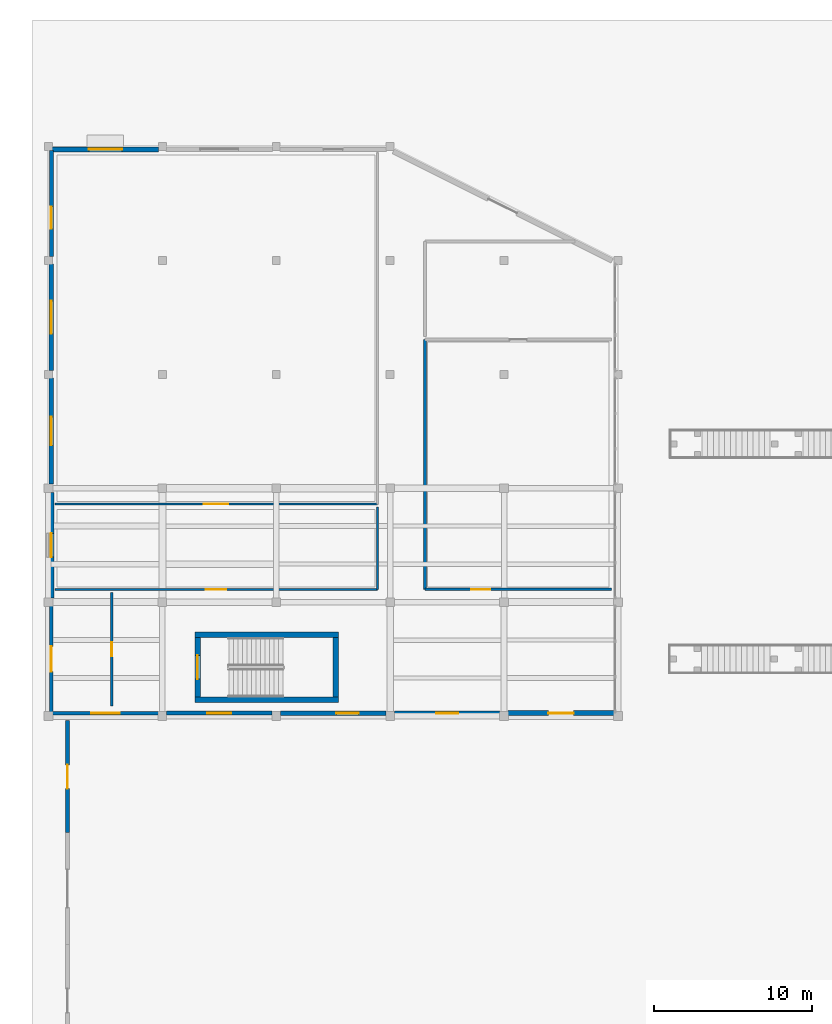
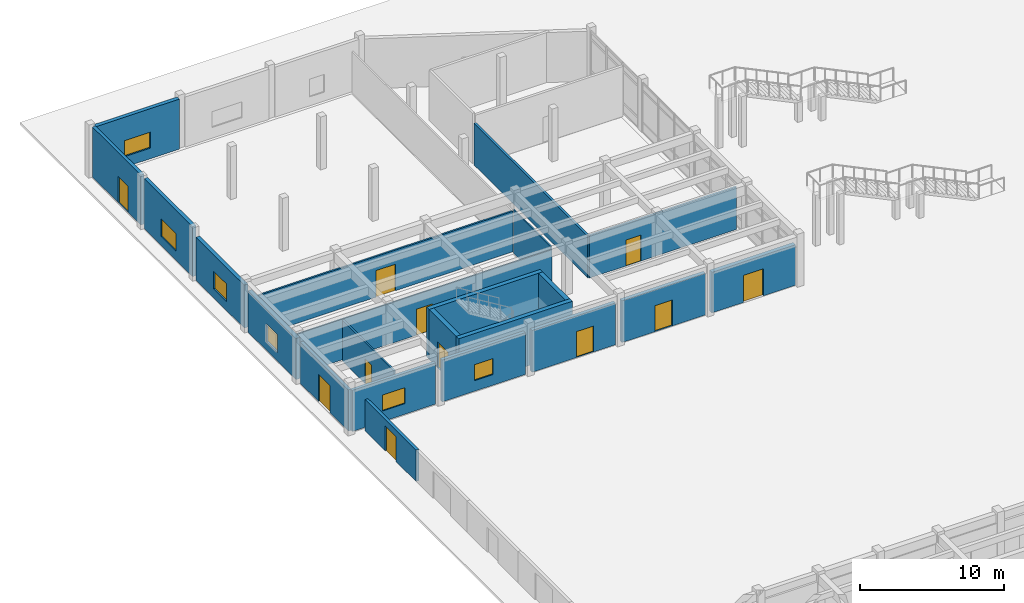
# One storey, part 33 of 58: 22 walls, 11 doors, 6 windows, 17 openings.
"""IFC4 building model written with IfcOpenShell, lengths in metres."""

import ifcopenshell
import ifcopenshell.guid

model = None  # the IFC model being written
_history = None  # IfcOwnerHistory: only IFC2X3 demands one
_inside = {}  # id of a spatial element -> (the spatial element, [elements in it])
_under = {}  # id of a project, library or spatial element -> (it, [spatial elements below it])
_declared = {}  # id of a project -> (the project, [libraries it declares])
_typed = {}  # id of a type object -> (the type object, [elements of that type])
_made_of = {}  # id of a material, layer set ... -> (it, [elements and type objects made of it])


def new_model(schema):
    """Start an empty IFC model of exactly this schema.

    Asked for "IFC4X3", IfcOpenShell would pick the latest addendum, in which some entities
    have other attributes; the version numbers below select the first issue.
    IFC2X3 requires an IfcOwnerHistory on every rooted entity: one is made here for all.
    """
    global model, _history
    if schema == "IFC4X3":
        model = ifcopenshell.file(schema_version=(4, 3, 0, 0))
    else:
        model = ifcopenshell.file(schema=schema)
    _inside.clear()
    _under.clear()
    _declared.clear()
    _typed.clear()
    _made_of.clear()
    _history = None
    if model.schema == "IFC2X3":
        org = make("IfcOrganization", Name="unknown")
        user = make(
            "IfcPersonAndOrganization",
            ThePerson=make("IfcPerson", FamilyName="unknown"),
            TheOrganization=org,
        )
        app = make(
            "IfcApplication",
            ApplicationDeveloper=org,
            Version="unknown",
            ApplicationFullName="unknown",
            ApplicationIdentifier="unknown",
        )
        _history = make(
            "IfcOwnerHistory",
            OwningUser=user,
            OwningApplication=app,
            ChangeAction="ADDED",
            CreationDate=0,
        )
    return model


def make(cls, **values):
    """One entity of the class cls with the attributes given. An attribute that is None is left unset."""
    return model.create_entity(
        cls, **{name: value for name, value in values.items() if value is not None}
    )


def rooted(cls, **values):
    """An entity with a GlobalId (a new one), such as an element, a storey or a relation."""
    return make(cls, GlobalId=ifcopenshell.guid.new(), OwnerHistory=_history, **values)


def si_unit(unit_type, name, prefix=None):
    """IfcSIUnit, for example si_unit("LENGTHUNIT", "METRE", prefix="MILLI")."""
    return make("IfcSIUnit", UnitType=unit_type, Prefix=prefix, Name=name)


def assignment(units):
    """IfcUnitAssignment: the units of a project."""
    return None if units is None else make("IfcUnitAssignment", Units=units)


def point(xyz):
    """IfcCartesianPoint."""
    return None if xyz is None else make("IfcCartesianPoint", Coordinates=xyz)


def direction(xyz):
    """IfcDirection."""
    return None if xyz is None else make("IfcDirection", DirectionRatios=xyz)


def frame(location, z_axis=None, x_axis=None):
    """IfcAxis2Placement3D, a coordinate frame: its origin and axes. An axis left out is left unset."""
    return make(
        "IfcAxis2Placement3D",
        Location=point(location),
        Axis=direction(z_axis),
        RefDirection=direction(x_axis),
    )


def frame_2d(location, x_axis=None):
    """IfcAxis2Placement2D, a coordinate frame in the plane: its origin and x axis."""
    return make(
        "IfcAxis2Placement2D", Location=point(location), RefDirection=direction(x_axis)
    )


def origin():
    """The frame at (0, 0, 0) with its axes left unset."""
    return frame((0.0, 0.0, 0.0))


def place(relative_to, where):
    """IfcLocalPlacement: puts the frame where relative to a parent placement (None: the world)."""
    return make(
        "IfcLocalPlacement", PlacementRelTo=relative_to, RelativePlacement=where
    )


def context(
    kind, dimensions, precision=None, world=None, true_north=None, identifier=None
):
    """IfcGeometricRepresentationContext, for example the 3D "Model" context."""
    return make(
        "IfcGeometricRepresentationContext",
        ContextIdentifier=identifier,
        ContextType=kind,
        CoordinateSpaceDimension=dimensions,
        Precision=precision,
        WorldCoordinateSystem=world,
        TrueNorth=true_north,
    )


def subcontext(parent, identifier, kind, view, scale=None):
    """IfcGeometricRepresentationSubContext, for example "Body" below "Model"."""
    return make(
        "IfcGeometricRepresentationSubContext",
        ContextIdentifier=identifier,
        ContextType=kind,
        ParentContext=parent,
        TargetScale=scale,
        TargetView=view,
    )


def project(units=None, contexts=None):
    """IfcProject with its units and contexts."""
    return rooted(
        "IfcProject",
        Name="project",
        RepresentationContexts=contexts,
        UnitsInContext=assignment(units),
    )


def spatial(cls, under=None, at=None, **own):
    """A site, building, storey or space (cls), placed at a placement, below another one or the project."""
    s = rooted(cls, ObjectPlacement=at, **own)
    if under is not None:
        _under.setdefault(under.id(), (under, []))[1].append(s)
    return s


def profile(cls, at=None, kind="AREA", **sizes):
    """A parametric profile (cls). Its sizes go by their IFC names, for example OverallWidth=200.0."""
    return make(cls, ProfileType=kind, Position=at, **sizes)


def rectangle(**sizes):
    """IfcRectangleProfileDef."""
    return profile("IfcRectangleProfileDef", **sizes)


def extrude(swept, where, along, depth):
    """IfcExtrudedAreaSolid: the profile swept, set in the frame where, extruded along a direction by depth."""
    return make(
        "IfcExtrudedAreaSolid",
        SweptArea=swept,
        Position=where,
        ExtrudedDirection=direction(along),
        Depth=depth,
    )


def shape(context_of_items, identifier, shape_type, items):
    """IfcShapeRepresentation: the items that make up one representation, for example the "Body"."""
    return make(
        "IfcShapeRepresentation",
        ContextOfItems=context_of_items,
        RepresentationIdentifier=identifier,
        RepresentationType=shape_type,
        Items=items,
    )


def material(Name=None, Category=None):
    """IfcMaterial."""
    return make("IfcMaterial", Name=Name, Category=Category)


def layer(
    of_material, thickness, ventilated=None, Name=None, Category=None, Priority=None
):
    """IfcMaterialLayer: one layer of a wall or slab, of a material (None: an air gap)."""
    return make(
        "IfcMaterialLayer",
        Material=of_material,
        LayerThickness=thickness,
        IsVentilated=ventilated,
        Name=Name,
        Category=Category,
        Priority=Priority,
    )


def layer_set(layers, Name=None):
    """IfcMaterialLayerSet."""
    return make("IfcMaterialLayerSet", MaterialLayers=layers, LayerSetName=Name)


def made_of(thing, what):
    """Note that an element or type object is made of a material, layer set ...; save() writes the relation."""
    if what is not None:
        _made_of.setdefault(what.id(), (what, []))[1].append(thing)
    return thing


def type_object(cls, material=None, **own):
    """A type object (cls), such as IfcWallType, which elements share."""
    return made_of(rooted(cls, **own), material)


def element(
    cls,
    number,
    at=None,
    inside=None,
    cuts=None,
    type_object=None,
    material=None,
    context=None,
    identifier="Body",
    shape_type=None,
    held_by="IfcProductDefinitionShape",
    body=None,
    shapes=None,
    **own,
):
    """One element of the class cls, such as IfcWall. Its Tag is "e" and its number.

    at: its placement. inside: the storey or other place that contains it. cuts: it is an
    opening in that element (IfcRelVoidsElement). A single representation is given by context,
    identifier, shape_type and body (its items); several are given by shapes. held_by: the class
    of the entity that holds the representations. save() writes the other relations.
    """
    e = rooted(cls, Tag="e%d" % number, ObjectPlacement=at, **own)
    if body is not None:
        shapes = [shape(context, identifier, shape_type, body)]
    if shapes is not None:
        e.Representation = make(held_by, Representations=shapes)
    if inside is not None:
        _inside.setdefault(inside.id(), (inside, []))[1].append(e)
    if cuts is not None:
        rooted(
            "IfcRelVoidsElement", RelatingBuildingElement=cuts, RelatedOpeningElement=e
        )
    if type_object is not None:
        _typed.setdefault(type_object.id(), (type_object, []))[1].append(e)
    return made_of(e, material)


def fill(opening, filler):
    """IfcRelFillsElement: the door or window that sits in an opening."""
    return rooted(
        "IfcRelFillsElement",
        RelatingOpeningElement=opening,
        RelatedBuildingElement=filler,
    )


def aggregate(whole, parts):
    """IfcRelAggregates: a whole, such as a stair, and the parts it consists of."""
    return rooted("IfcRelAggregates", RelatingObject=whole, RelatedObjects=parts)


def save(model, path):
    """Write the relations noted so far, then the file.

    IfcRelAggregates (storeys below a building ...), IfcRelContainedInSpatialStructure (elements
    in a storey), IfcRelDefinesByType, IfcRelAssociatesMaterial and IfcRelDeclares: one each for
    every whole, place, type object, material and project.
    """
    for whole, parts in _under.values():
        aggregate(whole, parts)
    for where, things in _inside.values():
        rooted(
            "IfcRelContainedInSpatialStructure",
            RelatedElements=things,
            RelatingStructure=where,
        )
    for kind, things in _typed.values():
        rooted("IfcRelDefinesByType", RelatedObjects=things, RelatingType=kind)
    for what, things in _made_of.values():
        rooted("IfcRelAssociatesMaterial", RelatedObjects=things, RelatingMaterial=what)
    for by, libraries in _declared.values():
        rooted("IfcRelDeclares", RelatingContext=by, RelatedDefinitions=libraries)
    model.write(path)


model = new_model("IFC4")

# Units and contexts
model_context = context("Model", 3, precision=1e-05, world=origin(), true_north=direction((0.0, 1.0)))
body_context = subcontext(model_context, "Body", "Model", "MODEL_VIEW")
ifc_project = project(units=[si_unit("LENGTHUNIT", "METRE"), si_unit("AREAUNIT", "SQUARE_METRE"), si_unit("VOLUMEUNIT", "CUBIC_METRE"), si_unit("PLANEANGLEUNIT", "RADIAN"), si_unit("MASSUNIT", "GRAM", prefix="KILO")], contexts=[model_context])

# Site, building, storey
site_placement = place(None, origin())
site = spatial("IfcSite", under=ifc_project, at=site_placement, CompositionType="ELEMENT")
building_placement = place(site_placement, origin())
building = spatial("IfcBuilding", under=site, at=building_placement, Name="Brisavento Harbour Community Centre", CompositionType="ELEMENT")
storey_placement = place(building_placement, origin())
storey = spatial("IfcBuildingStorey", under=building, at=storey_placement, Name="L00", CompositionType="ELEMENT", Elevation=0.0)

# Walls
ifc_material_1 = material(Name="Concrete C40/50", Category="concrete")
ifc_layer_1 = layer(ifc_material_1, 0.35009765625, Name="Concrete C40/50")
ifc_layer_set_1 = layer_set([ifc_layer_1], Name="Concrete C40/50")
wall_type_1 = type_object("IfcWallType", Name="WL-CORE-350", PredefinedType="SHEAR", material=ifc_layer_set_1)
for number, where, z_axis, x_axis, name in (
    (1, (9.25, 73.02490234375, 0.0), (0.0, 0.0, 1.0), (1.0, 0.0, 0.0), "L00 core C5 shear wall L"),
    (2, (18.35009765625, 77.125, 0.0), (0.0, 0.0, 1.0), (-1.0, 0.0, 0.0), "L00 core C5 shear wall R"),
):
    element("IfcWall", number, at=place(storey_placement, frame(where, z_axis=z_axis, x_axis=x_axis)), inside=storey, type_object=wall_type_1, Name=name, PredefinedType="SHEAR", context=body_context, shape_type="SweptSolid", body=[
        extrude(rectangle(XDim=9.10009765625, YDim=0.35009765625, at=frame_2d((4.550048828125, 0.0))), origin(), (0.0, 0.0, 1.0), 4.239990234375),
    ])
wall_1_placement = place(storey_placement, frame((18.175048828125, 73.199951171875, 0.0), z_axis=(0.0, 0.0, 1.0), x_axis=(0.0, 1.0, 0.0)))
element("IfcWall", 3, at=wall_1_placement, inside=storey, type_object=wall_type_1, Name="L00 core C5 shear wall F", PredefinedType="SHEAR", context=body_context, shape_type="SweptSolid", body=[
    extrude(rectangle(XDim=3.75, YDim=0.35009765625, at=frame_2d((1.875, 0.0))), origin(), (0.0, 0.0, 1.0), 4.239990234375),
])

# Wall, opening, door
wall_2_placement = place(storey_placement, frame((9.425048828125, 73.199951171875, 0.0), z_axis=(0.0, 0.0, 1.0), x_axis=(0.0, 1.0, 0.0)))
wall_2 = element("IfcWall", 4, at=wall_2_placement, inside=storey, type_object=wall_type_1, Name="L00 core C5 shear wall N", PredefinedType="SHEAR", context=body_context, shape_type="SweptSolid", body=[
    extrude(rectangle(XDim=3.75, YDim=0.35009765625, at=frame_2d((1.875, 0.0))), origin(), (0.0, 0.0, 1.0), 4.239990234375),
])
opening_1_placement = place(wall_2_placement, frame((1.125, 0.0, 0.0)))
opening_1 = element("IfcOpeningElement", 5, at=opening_1_placement, cuts=wall_2, Name="Opening SD-01", PredefinedType="OPENING", context=body_context, shape_type="SweptSolid", body=[
    extrude(rectangle(XDim=1.5, YDim=2.199951171875, at=frame_2d((0.75, 1.10009765625))), frame((0.0, 0.18505859375, 0.0), z_axis=(0.0, -1.0, 0.0), x_axis=(1.0, 0.0, 0.0)), (0.0, 0.0, 1.0), 0.3701171875),
])
ifc_material_2 = material(Name="Fire-rated steel door assembly", Category="steel")
door_type_1 = type_object("IfcDoorType", Name="DR-STAIR-150x220", OperationType="NOTDEFINED", PredefinedType="DOOR", material=ifc_material_2)
door_1_placement = place(opening_1_placement, origin())
door_1 = element("IfcDoor", 6, at=door_1_placement, inside=storey, type_object=door_type_1, Name="L00 exit stair ST-07 fire door", OperationType="SINGLE_SWING_RIGHT", OverallHeight=2.199951171875, OverallWidth=1.5, PredefinedType="DOOR", context=body_context, shape_type="SweptSolid", body=[
    extrude(rectangle(XDim=1.5, YDim=2.199951171875, at=frame_2d((0.75, 1.10009765625))), frame((0.0, 0.02490234375, 0.0), z_axis=(0.0, -1.0, 0.0), x_axis=(1.0, 0.0, 0.0)), (0.0, 0.0, 1.0), 0.050048828125),
])
fill(opening_1, door_1)

# Wall, opening, window
ifc_material_3 = material(Name="Terracotta masonry unit", Category="masonry")
ifc_layer_2 = layer(ifc_material_3, 0.239990234375, Name="Terracotta masonry unit")
ifc_layer_set_2 = layer_set([ifc_layer_2], Name="Terracotta masonry unit")
wall_type_2 = type_object("IfcWallType", Name="WL-EXT-240", PredefinedType="SOLIDWALL", material=ifc_layer_set_2)
wall_3_placement = place(storey_placement, frame((6.93994140625, 72.179931640625, 0.0), z_axis=(0.0, 0.0, 1.0), x_axis=(-1.0, 0.0, 0.0)))
wall_3 = element("IfcWall", 7, at=wall_3_placement, inside=storey, type_object=wall_type_2, Name="L00 V5 exterior wall 0163", PredefinedType="SOLIDWALL", context=body_context, shape_type="SweptSolid", body=[
    extrude(rectangle(XDim=6.679931640625, YDim=0.239990234375, at=frame_2d((3.33984375, 0.0))), origin(), (0.0, 0.0, 1.0), 3.489990234375),
])
opening_2_placement = place(wall_3_placement, frame((2.43994140625, 0.0, 0.89990234375)))
opening_2 = element("IfcOpeningElement", 8, at=opening_2_placement, cuts=wall_3, Name="Opening W-11", PredefinedType="OPENING", context=body_context, shape_type="SweptSolid", body=[
    extrude(rectangle(XDim=1.800048828125, YDim=1.35009765625, at=frame_2d((0.89990234375, 0.675048828125))), frame((0.0, 0.1298828125, 0.0), z_axis=(0.0, -1.0, 0.0), x_axis=(1.0, 0.0, 0.0)), (0.0, 0.0, 1.0), 0.260009765625),
])
ifc_material_4 = material(Name="Solar-control laminated low-E glass", Category="glass")
window_type_1 = type_object("IfcWindowType", Name="WIN-CAS-11", PartitioningType="SINGLE_PANEL", PredefinedType="WINDOW", material=ifc_material_4)
window_1_placement = place(opening_2_placement, origin())
window_1 = element("IfcWindow", 9, at=window_1_placement, inside=storey, type_object=window_type_1, Name="L00 V5 impact casement window 0047", OverallHeight=1.35009765625, OverallWidth=1.800048828125, PartitioningType="SINGLE_PANEL", PredefinedType="WINDOW", context=body_context, shape_type="SweptSolid", body=[
    extrude(rectangle(XDim=1.800048828125, YDim=1.35009765625, at=frame_2d((0.89990234375, 0.675048828125))), frame((0.0, 0.030029296875, 0.0), z_axis=(0.0, -1.0, 0.0), x_axis=(1.0, 0.0, 0.0)), (0.0, 0.0, 1.0), 0.06005859375),
])
fill(opening_2, window_1)

# Wall, opening, door
wall_4_placement = place(storey_placement, frame((0.179931640625, 72.260009765625, 0.0), z_axis=(0.0, 0.0, 1.0), x_axis=(0.0, 1.0, 0.0)))
wall_4 = element("IfcWall", 10, at=wall_4_placement, inside=storey, type_object=wall_type_2, Name="L00 V5 exterior wall 0168", PredefinedType="SOLIDWALL", context=body_context, shape_type="SweptSolid", body=[
    extrude(rectangle(XDim=6.679931640625, YDim=0.239990234375, at=frame_2d((3.33984375, 0.0))), origin(), (0.0, 0.0, 1.0), 3.489990234375),
])
opening_3_placement = place(wall_4_placement, frame((2.5400390625, 0.0, 0.0)))
opening_3 = element("IfcOpeningElement", 11, at=opening_3_placement, cuts=wall_4, Name="Opening ED-04", PredefinedType="OPENING", context=body_context, shape_type="SweptSolid", body=[
    extrude(rectangle(XDim=1.60009765625, YDim=2.300048828125, at=frame_2d((0.800048828125, 1.14990234375))), frame((0.0, 0.1298828125, 0.0), z_axis=(0.0, -1.0, 0.0), x_axis=(1.0, 0.0, 0.0)), (0.0, 0.0, 1.0), 0.260009765625),
])
ifc_material_5 = material(Name="Marine-anodised aluminium AW-6063-T6", Category="aluminium")
door_type_2 = type_object("IfcDoorType", Name="DR-EXT-160x230", OperationType="NOTDEFINED", PredefinedType="DOOR", material=ifc_material_5)
door_2_placement = place(opening_3_placement, origin())
door_2 = element("IfcDoor", 12, at=door_2_placement, inside=storey, type_object=door_type_2, Name="L00 V5 exterior exit door 026", OperationType="SINGLE_SWING_LEFT", OverallHeight=2.300048828125, OverallWidth=1.60009765625, PredefinedType="DOOR", context=body_context, shape_type="SweptSolid", body=[
    extrude(rectangle(XDim=1.60009765625, YDim=2.300048828125, at=frame_2d((0.800048828125, 1.14990234375))), frame((0.0, 0.02490234375, 0.0), z_axis=(0.0, -1.0, 0.0), x_axis=(1.0, 0.0, 0.0)), (0.0, 0.0, 1.0), 0.050048828125),
])
fill(opening_3, door_2)

wall_5_placement = place(storey_placement, frame((1.199951171875, 71.699951171875, 0.0), z_axis=(0.0, 0.0, 1.0), x_axis=(0.0, -1.0, 0.0)))
wall_5 = element("IfcWall", 13, at=wall_5_placement, inside=storey, type_object=wall_type_2, Name="L00 courtyard screen wall 05", PredefinedType="SOLIDWALL", context=body_context, shape_type="SweptSolid", body=[
    extrude(rectangle(XDim=7.079833984375, YDim=0.239990234375, at=frame_2d((3.5400390625, 0.0))), origin(), (0.0, 0.0, 1.0), 2.64990234375),
])
opening_4_placement = place(wall_5_placement, frame((2.7900390625, 0.0, 0.0)))
opening_4 = element("IfcOpeningElement", 14, at=opening_4_placement, cuts=wall_5, Name="Opening NG-01", PredefinedType="OPENING", context=body_context, shape_type="SweptSolid", body=[
    extrude(rectangle(XDim=1.5, YDim=2.10009765625, at=frame_2d((0.75, 1.050048828125))), frame((0.0, 0.1298828125, 0.0), z_axis=(0.0, -1.0, 0.0), x_axis=(1.0, 0.0, 0.0)), (0.0, 0.0, 1.0), 0.260009765625),
])
door_type_3 = type_object("IfcDoorType", Name="GT-NRS-150x210", OperationType="NOTDEFINED", PredefinedType="GATE", material=ifc_material_5)
door_3_placement = place(opening_4_placement, origin())
door_3 = element("IfcDoor", 15, at=door_3_placement, inside=storey, type_object=door_type_3, Name="L00 courtyard entrance gate 05", OperationType="SINGLE_SWING_RIGHT", OverallHeight=2.10009765625, OverallWidth=1.5, PredefinedType="GATE", context=body_context, shape_type="SweptSolid", body=[
    extrude(rectangle(XDim=1.5, YDim=2.10009765625, at=frame_2d((0.75, 1.050048828125))), frame((0.0, 0.02490234375, 0.0), z_axis=(0.0, -1.0, 0.0), x_axis=(1.0, 0.0, 0.0)), (0.0, 0.0, 1.0), 0.050048828125),
])
fill(opening_4, door_3)

# Wall, opening, window
ifc_layer_3 = layer(ifc_material_3, 0.260009765625, Name="Terracotta masonry unit")
ifc_layer_set_3 = layer_set([ifc_layer_3], Name="Terracotta masonry unit")
wall_type_3 = type_object("IfcWallType", Name="WL-EXT-260", PredefinedType="SOLIDWALL", material=ifc_layer_set_3)
wall_6_placement = place(storey_placement, frame((14.139892578125, 72.179931640625, 0.0), z_axis=(0.0, 0.0, 1.0), x_axis=(-1.0, 0.0, 0.0)))
wall_6 = element("IfcWall", 16, at=wall_6_placement, inside=storey, type_object=wall_type_3, Name="L00 V5 exterior wall 0162", PredefinedType="SOLIDWALL", context=body_context, shape_type="SweptSolid", body=[
    extrude(rectangle(XDim=6.679931640625, YDim=0.260009765625, at=frame_2d((3.33984375, 0.0))), origin(), (0.0, 0.0, 1.0), 3.5400390625),
])
opening_5_placement = place(wall_6_placement, frame((2.590087890625, 0.0, 0.89990234375)))
opening_5 = element("IfcOpeningElement", 17, at=opening_5_placement, cuts=wall_6, Name="Opening W-10", PredefinedType="OPENING", context=body_context, shape_type="SweptSolid", body=[
    extrude(rectangle(XDim=1.5, YDim=1.35009765625, at=frame_2d((0.75, 0.675048828125))), frame((0.0, 0.14013671875, 0.0), z_axis=(0.0, -1.0, 0.0), x_axis=(1.0, 0.0, 0.0)), (0.0, 0.0, 1.0), 0.280029296875),
])
window_type_2 = type_object("IfcWindowType", Name="WIN-CAS-10", PartitioningType="SINGLE_PANEL", PredefinedType="WINDOW", material=ifc_material_4)
window_2_placement = place(opening_5_placement, origin())
window_2 = element("IfcWindow", 18, at=window_2_placement, inside=storey, type_object=window_type_2, Name="L00 V5 impact casement window 0046", OverallHeight=1.35009765625, OverallWidth=1.5, PartitioningType="SINGLE_PANEL", PredefinedType="WINDOW", context=body_context, shape_type="SweptSolid", body=[
    extrude(rectangle(XDim=1.5, YDim=1.35009765625, at=frame_2d((0.75, 0.675048828125))), frame((0.0, 0.030029296875, 0.0), z_axis=(0.0, -1.0, 0.0), x_axis=(1.0, 0.0, 0.0)), (0.0, 0.0, 1.0), 0.06005859375),
])
fill(opening_5, window_2)

# Wall, opening, door
wall_7_placement = place(storey_placement, frame((0.179931640625, 101.034912109375, 0.0), z_axis=(0.0, 0.0, 1.0), x_axis=(0.0, 1.0, 0.0)))
wall_7 = element("IfcWall", 19, at=wall_7_placement, inside=storey, type_object=wall_type_3, Name="L00 V5 exterior wall 0172", PredefinedType="SOLIDWALL", context=body_context, shape_type="SweptSolid", body=[
    extrude(rectangle(XDim=6.72998046875, YDim=0.260009765625, at=frame_2d((3.364990234375, 0.0))), origin(), (0.0, 0.0, 1.0), 4.239990234375),
])
opening_6_placement = place(wall_7_placement, frame((1.764892578125, 0.0, 0.0)))
opening_6 = element("IfcOpeningElement", 20, at=opening_6_placement, cuts=wall_7, Name="Opening ED-05", PredefinedType="OPENING", context=body_context, shape_type="SweptSolid", body=[
    extrude(rectangle(XDim=1.39990234375, YDim=2.199951171875, at=frame_2d((0.699951171875, 1.10009765625))), frame((0.0, 0.14013671875, 0.0), z_axis=(0.0, -1.0, 0.0), x_axis=(1.0, 0.0, 0.0)), (0.0, 0.0, 1.0), 0.280029296875),
])
door_type_4 = type_object("IfcDoorType", Name="DR-EXT-140x220", OperationType="NOTDEFINED", PredefinedType="DOOR", material=ifc_material_5)
door_4_placement = place(opening_6_placement, origin())
door_4 = element("IfcDoor", 21, at=door_4_placement, inside=storey, type_object=door_type_4, Name="L00 V5 exterior exit door 027", OperationType="SINGLE_SWING_RIGHT", OverallHeight=2.199951171875, OverallWidth=1.39990234375, PredefinedType="DOOR", context=body_context, shape_type="SweptSolid", body=[
    extrude(rectangle(XDim=1.39990234375, YDim=2.199951171875, at=frame_2d((0.699951171875, 1.10009765625))), frame((0.0, 0.02490234375, 0.0), z_axis=(0.0, -1.0, 0.0), x_axis=(1.0, 0.0, 0.0)), (0.0, 0.0, 1.0), 0.050048828125),
])
fill(opening_6, door_4)

ifc_material_6 = material(Name="Precast concrete C40/50", Category="concrete")
ifc_layer_4 = layer(ifc_material_6, 0.280029296875, Name="Precast concrete C40/50")
ifc_layer_set_4 = layer_set([ifc_layer_4], Name="Precast concrete C40/50")
wall_type_4 = type_object("IfcWallType", Name="WL-EXT-280", PredefinedType="SOLIDWALL", material=ifc_layer_set_4)
wall_8_placement = place(storey_placement, frame((21.340087890625, 72.179931640625, 0.0), z_axis=(0.0, 0.0, 1.0), x_axis=(-1.0, 0.0, 0.0)))
wall_8 = element("IfcWall", 22, at=wall_8_placement, inside=storey, type_object=wall_type_4, Name="L00 V5 exterior wall 0161", PredefinedType="SOLIDWALL", context=body_context, shape_type="SweptSolid", body=[
    extrude(rectangle(XDim=6.68017578125, YDim=0.280029296875, at=frame_2d((3.340087890625, 0.0))), origin(), (0.0, 0.0, 1.0), 3.5400390625),
])
opening_7_placement = place(wall_8_placement, frame((1.739990234375, 0.0, 0.0)))
opening_7 = element("IfcOpeningElement", 23, at=opening_7_placement, cuts=wall_8, Name="Opening ED-05", PredefinedType="OPENING", context=body_context, shape_type="SweptSolid", body=[
    extrude(rectangle(XDim=1.39990234375, YDim=2.199951171875, at=frame_2d((0.699951171875, 1.10009765625))), frame((0.0, 0.14990234375, 0.0), z_axis=(0.0, -1.0, 0.0), x_axis=(1.0, 0.0, 0.0)), (0.0, 0.0, 1.0), 0.300048828125),
])
door_5_placement = place(opening_7_placement, origin())
door_5 = element("IfcDoor", 24, at=door_5_placement, inside=storey, type_object=door_type_4, Name="L00 V5 exterior exit door 024", OperationType="SINGLE_SWING_LEFT", OverallHeight=2.199951171875, OverallWidth=1.39990234375, PredefinedType="DOOR", context=body_context, shape_type="SweptSolid", body=[
    extrude(rectangle(XDim=1.39990234375, YDim=2.199951171875, at=frame_2d((0.699951171875, 1.10009765625))), frame((0.0, 0.02490234375, 0.0), z_axis=(0.0, -1.0, 0.0), x_axis=(1.0, 0.0, 0.0)), (0.0, 0.0, 1.0), 0.050048828125),
])
fill(opening_7, door_5)

# Wall, opening, window
wall_9_placement = place(storey_placement, frame((0.179931640625, 93.8349609375, 0.0), z_axis=(0.0, 0.0, 1.0), x_axis=(0.0, 1.0, 0.0)))
wall_9 = element("IfcWall", 25, at=wall_9_placement, inside=storey, type_object=wall_type_4, Name="L00 V5 exterior wall 0171", PredefinedType="SOLIDWALL", context=body_context, shape_type="SweptSolid", body=[
    extrude(rectangle(XDim=6.72998046875, YDim=0.280029296875, at=frame_2d((3.364990234375, 0.0))), origin(), (0.0, 0.0, 1.0), 4.239990234375),
])
opening_8_placement = place(wall_9_placement, frame((2.31494140625, 0.0, 0.75)))
opening_8 = element("IfcOpeningElement", 26, at=opening_8_placement, cuts=wall_9, Name="Opening W-17", PredefinedType="OPENING", context=body_context, shape_type="SweptSolid", body=[
    extrude(rectangle(XDim=2.10009765625, YDim=1.5, at=frame_2d((1.050048828125, 0.75))), frame((0.0, 0.14990234375, 0.0), z_axis=(0.0, -1.0, 0.0), x_axis=(1.0, 0.0, 0.0)), (0.0, 0.0, 1.0), 0.300048828125),
])
window_type_3 = type_object("IfcWindowType", Name="WIN-CAS-17", PartitioningType="SINGLE_PANEL", PredefinedType="WINDOW", material=ifc_material_4)
window_3_placement = place(opening_8_placement, origin())
window_3 = element("IfcWindow", 27, at=window_3_placement, inside=storey, type_object=window_type_3, Name="L00 V5 impact casement window 0053", OverallHeight=1.5, OverallWidth=2.10009765625, PartitioningType="SINGLE_PANEL", PredefinedType="WINDOW", context=body_context, shape_type="SweptSolid", body=[
    extrude(rectangle(XDim=2.10009765625, YDim=1.5, at=frame_2d((1.050048828125, 0.75))), frame((0.0, 0.030029296875, 0.0), z_axis=(0.0, -1.0, 0.0), x_axis=(1.0, 0.0, 0.0)), (0.0, 0.0, 1.0), 0.06005859375),
])
fill(opening_8, window_3)

# Wall, opening, door
ifc_material_7 = material(Name="Concrete C35/45", Category="concrete")
ifc_layer_5 = layer(ifc_material_7, 0.300048828125, Name="Concrete C35/45")
ifc_layer_set_5 = layer_set([ifc_layer_5], Name="Concrete C35/45")
wall_type_5 = type_object("IfcWallType", Name="WL-EXT-300", PredefinedType="SOLIDWALL", material=ifc_layer_set_5)
wall_10_placement = place(storey_placement, frame((28.5400390625, 72.179931640625, 0.0), z_axis=(0.0, 0.0, 1.0), x_axis=(-1.0, 0.0, 0.0)))
wall_10 = element("IfcWall", 28, at=wall_10_placement, inside=storey, type_object=wall_type_5, Name="L00 V5 exterior wall 0160", PredefinedType="SOLIDWALL", context=body_context, shape_type="SweptSolid", body=[
    extrude(rectangle(XDim=6.679931640625, YDim=0.300048828125, at=frame_2d((3.33984375, 0.0))), origin(), (0.0, 0.0, 1.0), 3.5400390625),
])
opening_9_placement = place(wall_10_placement, frame((2.639892578125, 0.0, 0.0)))
opening_9 = element("IfcOpeningElement", 29, at=opening_9_placement, cuts=wall_10, Name="Opening ED-05", PredefinedType="OPENING", context=body_context, shape_type="SweptSolid", body=[
    extrude(rectangle(XDim=1.39990234375, YDim=2.199951171875, at=frame_2d((0.699951171875, 1.10009765625))), frame((0.0, 0.16015625, 0.0), z_axis=(0.0, -1.0, 0.0), x_axis=(1.0, 0.0, 0.0)), (0.0, 0.0, 1.0), 0.320068359375),
])
door_6_placement = place(opening_9_placement, origin())
door_6 = element("IfcDoor", 30, at=door_6_placement, inside=storey, type_object=door_type_4, Name="L00 V5 exterior exit door 023", OperationType="SINGLE_SWING_RIGHT", OverallHeight=2.199951171875, OverallWidth=1.39990234375, PredefinedType="DOOR", context=body_context, shape_type="SweptSolid", body=[
    extrude(rectangle(XDim=1.39990234375, YDim=2.199951171875, at=frame_2d((0.699951171875, 1.10009765625))), frame((0.0, 0.02490234375, 0.0), z_axis=(0.0, -1.0, 0.0), x_axis=(1.0, 0.0, 0.0)), (0.0, 0.0, 1.0), 0.050048828125),
])
fill(opening_9, door_6)

# Wall, opening, window
wall_11_placement = place(storey_placement, frame((0.235107421875, 107.820068359375, 0.0), z_axis=(0.0, 0.0, 1.0), x_axis=(1.0, 0.0, 0.0)))
wall_11 = element("IfcWall", 31, at=wall_11_placement, inside=storey, type_object=wall_type_5, Name="L00 V5 exterior wall 0165", PredefinedType="SOLIDWALL", context=body_context, shape_type="SweptSolid", body=[
    extrude(rectangle(XDim=6.72998046875, YDim=0.300048828125, at=frame_2d((3.364990234375, 0.0))), origin(), (0.0, 0.0, 1.0), 4.239990234375),
])
opening_10_placement = place(wall_11_placement, frame((2.31494140625, 0.0, 0.89990234375)))
opening_10 = element("IfcOpeningElement", 32, at=opening_10_placement, cuts=wall_11, Name="Opening W-12", PredefinedType="OPENING", context=body_context, shape_type="SweptSolid", body=[
    extrude(rectangle(XDim=2.10009765625, YDim=1.35009765625, at=frame_2d((1.050048828125, 0.675048828125))), frame((0.0, 0.16015625, 0.0), z_axis=(0.0, -1.0, 0.0), x_axis=(1.0, 0.0, 0.0)), (0.0, 0.0, 1.0), 0.320068359375),
])
window_type_4 = type_object("IfcWindowType", Name="WIN-CAS-12", PartitioningType="SINGLE_PANEL", PredefinedType="WINDOW", material=ifc_material_4)
window_4_placement = place(opening_10_placement, origin())
window_4 = element("IfcWindow", 33, at=window_4_placement, inside=storey, type_object=window_type_4, Name="L00 V5 impact casement window 0048", OverallHeight=1.35009765625, OverallWidth=2.10009765625, PartitioningType="SINGLE_PANEL", PredefinedType="WINDOW", context=body_context, shape_type="SweptSolid", body=[
    extrude(rectangle(XDim=2.10009765625, YDim=1.35009765625, at=frame_2d((1.050048828125, 0.675048828125))), frame((0.0, 0.030029296875, 0.0), z_axis=(0.0, -1.0, 0.0), x_axis=(1.0, 0.0, 0.0)), (0.0, 0.0, 1.0), 0.06005859375),
])
fill(opening_10, window_4)

wall_12_placement = place(storey_placement, frame((0.179931640625, 86.659912109375, 0.0), z_axis=(0.0, 0.0, 1.0), x_axis=(0.0, 1.0, 0.0)))
wall_12 = element("IfcWall", 34, at=wall_12_placement, inside=storey, type_object=wall_type_5, Name="L00 V5 exterior wall 0170", PredefinedType="SOLIDWALL", context=body_context, shape_type="SweptSolid", body=[
    extrude(rectangle(XDim=6.705078125, YDim=0.300048828125, at=frame_2d((3.3525390625, 0.0))), origin(), (0.0, 0.0, 1.0), 3.639892578125),
])
opening_11_placement = place(wall_12_placement, frame((2.452392578125, 0.0, 0.75)))
opening_11 = element("IfcOpeningElement", 35, at=opening_11_placement, cuts=wall_12, Name="Opening W-16", PredefinedType="OPENING", context=body_context, shape_type="SweptSolid", body=[
    extrude(rectangle(XDim=1.800048828125, YDim=1.5, at=frame_2d((0.89990234375, 0.75))), frame((0.0, 0.16015625, 0.0), z_axis=(0.0, -1.0, 0.0), x_axis=(1.0, 0.0, 0.0)), (0.0, 0.0, 1.0), 0.320068359375),
])
window_type_5 = type_object("IfcWindowType", Name="WIN-CAS-16", PartitioningType="SINGLE_PANEL", PredefinedType="WINDOW", material=ifc_material_4)
window_5_placement = place(opening_11_placement, origin())
window_5 = element("IfcWindow", 36, at=window_5_placement, inside=storey, type_object=window_type_5, Name="L00 V5 impact casement window 0052", OverallHeight=1.5, OverallWidth=1.800048828125, PartitioningType="SINGLE_PANEL", PredefinedType="WINDOW", context=body_context, shape_type="SweptSolid", body=[
    extrude(rectangle(XDim=1.800048828125, YDim=1.5, at=frame_2d((0.89990234375, 0.75))), frame((0.0, 0.030029296875, 0.0), z_axis=(0.0, -1.0, 0.0), x_axis=(1.0, 0.0, 0.0)), (0.0, 0.0, 1.0), 0.06005859375),
])
fill(opening_11, window_5)

# Wall, opening, door
ifc_layer_6 = layer(ifc_material_7, 0.320068359375, Name="Concrete C35/45")
ifc_layer_set_6 = layer_set([ifc_layer_6], Name="Concrete C35/45")
wall_type_6 = type_object("IfcWallType", Name="WL-EXT-320", PredefinedType="SOLIDWALL", material=ifc_layer_set_6)
wall_13_placement = place(storey_placement, frame((35.739990234375, 72.179931640625, 0.0), z_axis=(0.0, 0.0, 1.0), x_axis=(-1.0, 0.0, 0.0)))
wall_13 = element("IfcWall", 37, at=wall_13_placement, inside=storey, type_object=wall_type_6, Name="L00 V5 exterior wall 0159", PredefinedType="SOLIDWALL", context=body_context, shape_type="SweptSolid", body=[
    extrude(rectangle(XDim=6.679931640625, YDim=0.320068359375, at=frame_2d((3.33984375, 0.0))), origin(), (0.0, 0.0, 1.0), 3.43994140625),
])
opening_12_placement = place(wall_13_placement, frame((2.5400390625, 0.0, 0.0)))
opening_12 = element("IfcOpeningElement", 38, at=opening_12_placement, cuts=wall_13, Name="Opening ED-04", PredefinedType="OPENING", context=body_context, shape_type="SweptSolid", body=[
    extrude(rectangle(XDim=1.60009765625, YDim=2.300048828125, at=frame_2d((0.800048828125, 1.14990234375))), frame((0.0, 0.169921875, 0.0), z_axis=(0.0, -1.0, 0.0), x_axis=(1.0, 0.0, 0.0)), (0.0, 0.0, 1.0), 0.340087890625),
])
door_7_placement = place(opening_12_placement, origin())
door_7 = element("IfcDoor", 39, at=door_7_placement, inside=storey, type_object=door_type_2, Name="L00 V5 exterior exit door 022", OperationType="SINGLE_SWING_LEFT", OverallHeight=2.300048828125, OverallWidth=1.60009765625, PredefinedType="DOOR", context=body_context, shape_type="SweptSolid", body=[
    extrude(rectangle(XDim=1.60009765625, YDim=2.300048828125, at=frame_2d((0.800048828125, 1.14990234375))), frame((0.0, 0.02490234375, 0.0), z_axis=(0.0, -1.0, 0.0), x_axis=(1.0, 0.0, 0.0)), (0.0, 0.0, 1.0), 0.050048828125),
])
fill(opening_12, door_7)

# Wall, opening, window
wall_14_placement = place(storey_placement, frame((0.179931640625, 79.4599609375, 0.0), z_axis=(0.0, 0.0, 1.0), x_axis=(0.0, 1.0, 0.0)))
wall_14 = element("IfcWall", 40, at=wall_14_placement, inside=storey, type_object=wall_type_6, Name="L00 V5 exterior wall 0169", PredefinedType="SOLIDWALL", context=body_context, shape_type="SweptSolid", body=[
    extrude(rectangle(XDim=6.679931640625, YDim=0.320068359375, at=frame_2d((3.33984375, 0.0))), origin(), (0.0, 0.0, 1.0), 3.489990234375),
])
opening_13_placement = place(wall_14_placement, frame((2.590087890625, 0.0, 0.75)))
opening_13 = element("IfcOpeningElement", 41, at=opening_13_placement, cuts=wall_14, Name="Opening W-15", PredefinedType="OPENING", context=body_context, shape_type="SweptSolid", body=[
    extrude(rectangle(XDim=1.5, YDim=1.5, at=frame_2d((0.75, 0.75))), frame((0.0, 0.169921875, 0.0), z_axis=(0.0, -1.0, 0.0), x_axis=(1.0, 0.0, 0.0)), (0.0, 0.0, 1.0), 0.340087890625),
])
window_type_6 = type_object("IfcWindowType", Name="WIN-CAS-15", PartitioningType="SINGLE_PANEL", PredefinedType="WINDOW", material=ifc_material_4)
window_6_placement = place(opening_13_placement, origin())
window_6 = element("IfcWindow", 42, at=window_6_placement, inside=storey, type_object=window_type_6, Name="L00 V5 impact casement window 0051", OverallHeight=1.5, OverallWidth=1.5, PartitioningType="SINGLE_PANEL", PredefinedType="WINDOW", context=body_context, shape_type="SweptSolid", body=[
    extrude(rectangle(XDim=1.5, YDim=1.5, at=frame_2d((0.75, 0.75))), frame((0.0, 0.030029296875, 0.0), z_axis=(0.0, -1.0, 0.0), x_axis=(1.0, 0.0, 0.0)), (0.0, 0.0, 1.0), 0.06005859375),
])
fill(opening_13, window_6)

# Wall
ifc_material_8 = material(Name="Lightweight stud partition", Category="other")
ifc_layer_7 = layer(ifc_material_8, 0.10009765625, Name="Lightweight stud partition")
ifc_layer_set_7 = layer_set([ifc_layer_7], Name="Lightweight stud partition")
wall_type_7 = type_object("IfcWallType", Name="WL-PRT-100", PredefinedType="PARTITIONING", material=ifc_layer_set_7)
wall_15_placement = place(storey_placement, frame((20.800048828125, 80.0, 0.0), z_axis=(0.0, 0.0, 1.0), x_axis=(0.0, 1.0, 0.0)))
element("IfcWall", 43, at=wall_15_placement, inside=storey, type_object=wall_type_7, Name="L00 Courtyard Servery Veranda partition 0111", PredefinedType="PARTITIONING", context=body_context, shape_type="SweptSolid", body=[
    extrude(rectangle(XDim=5.199951171875, YDim=0.10009765625, at=frame_2d((2.60009765625, 0.0))), origin(), (0.0, 0.0, 1.0), 3.679931640625),
])

# Wall, opening, door
ifc_material_9 = material(Name="Gypsum metal-stud partition", Category="other")
ifc_layer_8 = layer(ifc_material_9, 0.1201171875, Name="Gypsum metal-stud partition")
ifc_layer_set_8 = layer_set([ifc_layer_8], Name="Gypsum metal-stud partition")
wall_type_8 = type_object("IfcWallType", Name="WL-PRT-120", PredefinedType="PARTITIONING", material=ifc_layer_set_8)
wall_16_placement = place(storey_placement, frame((0.39990234375, 80.0, 0.0), z_axis=(0.0, 0.0, 1.0), x_axis=(1.0, 0.0, 0.0)))
wall_16 = element("IfcWall", 44, at=wall_16_placement, inside=storey, type_object=wall_type_8, Name="L00 Courtyard Servery Veranda partition 0110", PredefinedType="PARTITIONING", context=body_context, shape_type="SweptSolid", body=[
    extrude(rectangle(XDim=20.400146484375, YDim=0.1201171875, at=frame_2d((10.2001953125, 0.0))), origin(), (0.0, 0.0, 1.0), 3.43994140625),
])
opening_14_placement = place(wall_16_placement, frame((9.550048828125, 0.0, 0.0)))
opening_14 = element("IfcOpeningElement", 45, at=opening_14_placement, cuts=wall_16, Name="Opening ID-05", PredefinedType="OPENING", context=body_context, shape_type="SweptSolid", body=[
    extrude(rectangle(XDim=1.300048828125, YDim=2.199951171875, at=frame_2d((0.64990234375, 1.10009765625))), frame((0.0, 0.070068359375, 0.0), z_axis=(0.0, -1.0, 0.0), x_axis=(1.0, 0.0, 0.0)), (0.0, 0.0, 1.0), 0.14013671875),
])
ifc_material_10 = material(Name="Solid-core tropical timber door", Category="wood")
door_type_5 = type_object("IfcDoorType", Name="DR-INT-130x220", OperationType="NOTDEFINED", PredefinedType="DOOR", material=ifc_material_10)
door_8_placement = place(opening_14_placement, origin())
door_8 = element("IfcDoor", 46, at=door_8_placement, inside=storey, type_object=door_type_5, Name="L00 Courtyard Servery Veranda door 0038", OperationType="SINGLE_SWING_LEFT", OverallHeight=2.199951171875, OverallWidth=1.300048828125, PredefinedType="DOOR", context=body_context, shape_type="SweptSolid", body=[
    extrude(rectangle(XDim=1.300048828125, YDim=2.199951171875, at=frame_2d((0.64990234375, 1.10009765625))), frame((0.0, 0.02490234375, 0.0), z_axis=(0.0, -1.0, 0.0), x_axis=(1.0, 0.0, 0.0)), (0.0, 0.0, 1.0), 0.050048828125),
])
fill(opening_14, door_8)

ifc_layer_9 = layer(ifc_material_9, 0.139892578125, Name="Gypsum metal-stud partition")
ifc_layer_set_9 = layer_set([ifc_layer_9], Name="Gypsum metal-stud partition")
wall_type_9 = type_object("IfcWallType", Name="WL-PRT-140", PredefinedType="PARTITIONING", material=ifc_layer_set_9)
wall_17_placement = place(storey_placement, frame((0.39990234375, 85.39990234375, 0.0), z_axis=(0.0, 0.0, 1.0), x_axis=(1.0, 0.0, 0.0)))
wall_17 = element("IfcWall", 47, at=wall_17_placement, inside=storey, type_object=wall_type_9, Name="L00 Community Dining Hall partition 0105", PredefinedType="PARTITIONING", context=body_context, shape_type="SweptSolid", body=[
    extrude(rectangle(XDim=20.400146484375, YDim=0.139892578125, at=frame_2d((10.2001953125, 0.0))), origin(), (0.0, 0.0, 1.0), 3.43994140625),
])
opening_15_placement = place(wall_17_placement, frame((9.425048828125, 0.0, 0.0)))
opening_15 = element("IfcOpeningElement", 48, at=opening_15_placement, cuts=wall_17, Name="Opening ID-03", PredefinedType="OPENING", context=body_context, shape_type="SweptSolid", body=[
    extrude(rectangle(XDim=1.550048828125, YDim=2.25, at=frame_2d((0.77490234375, 1.125))), frame((0.0, 0.080078125, 0.0), z_axis=(0.0, -1.0, 0.0), x_axis=(1.0, 0.0, 0.0)), (0.0, 0.0, 1.0), 0.159912109375),
])
door_type_6 = type_object("IfcDoorType", Name="DR-INT-155x225", OperationType="NOTDEFINED", PredefinedType="DOOR", material=ifc_material_10)
door_9_placement = place(opening_15_placement, origin())
door_9 = element("IfcDoor", 49, at=door_9_placement, inside=storey, type_object=door_type_6, Name="L00 Community Dining Hall door 0036", OperationType="SINGLE_SWING_LEFT", OverallHeight=2.25, OverallWidth=1.550048828125, PredefinedType="DOOR", context=body_context, shape_type="SweptSolid", body=[
    extrude(rectangle(XDim=1.550048828125, YDim=2.25, at=frame_2d((0.77490234375, 1.125))), frame((0.0, 0.02490234375, 0.0), z_axis=(0.0, -1.0, 0.0), x_axis=(1.0, 0.0, 0.0)), (0.0, 0.0, 1.0), 0.050048828125),
])
fill(opening_15, door_9)

wall_18_placement = place(storey_placement, frame((4.0, 72.6298828125, 0.0), z_axis=(0.0, 0.0, 1.0), x_axis=(0.0, 1.0, 0.0)))
wall_18 = element("IfcWall", 50, at=wall_18_placement, inside=storey, type_object=wall_type_9, Name="L00 Dining Accessible WC L00 partition 0125", PredefinedType="PARTITIONING", context=body_context, shape_type="SweptSolid", body=[
    extrude(rectangle(XDim=7.170166015625, YDim=0.139892578125, at=frame_2d((3.5849609375, 0.0))), origin(), (0.0, 0.0, 1.0), 3.489990234375),
])
opening_16_placement = place(wall_18_placement, frame((3.14501953125, 0.0, 0.0)))
opening_16 = element("IfcOpeningElement", 51, at=opening_16_placement, cuts=wall_18, Name="Opening WD-02", PredefinedType="OPENING", context=body_context, shape_type="SweptSolid", body=[
    extrude(rectangle(XDim=0.8798828125, YDim=2.10009765625, at=frame_2d((0.43994140625, 1.050048828125))), frame((0.0, 0.080078125, 0.0), z_axis=(0.0, -1.0, 0.0), x_axis=(1.0, 0.0, 0.0)), (0.0, 0.0, 1.0), 0.159912109375),
])
ifc_material_11 = material(Name="Moisture-resistant laminate door", Category="other")
door_type_7 = type_object("IfcDoorType", Name="DR-WC-088x210", OperationType="NOTDEFINED", PredefinedType="DOOR", material=ifc_material_11)
door_10_placement = place(opening_16_placement, origin())
door_10 = element("IfcDoor", 52, at=door_10_placement, inside=storey, type_object=door_type_7, Name="L00 Dining Accessible WC L00 door 0044", OperationType="SINGLE_SWING_LEFT", OverallHeight=2.10009765625, OverallWidth=0.8798828125, PredefinedType="DOOR", context=body_context, shape_type="SweptSolid", body=[
    extrude(rectangle(XDim=0.8798828125, YDim=2.10009765625, at=frame_2d((0.43994140625, 1.050048828125))), frame((0.0, 0.02490234375, 0.0), z_axis=(0.0, -1.0, 0.0), x_axis=(1.0, 0.0, 0.0)), (0.0, 0.0, 1.0), 0.050048828125),
])
fill(opening_16, door_10)

ifc_material_12 = material(Name="Acoustic gypsum stud partition", Category="other")
ifc_layer_10 = layer(ifc_material_12, 0.159912109375, Name="Acoustic gypsum stud partition")
ifc_layer_set_10 = layer_set([ifc_layer_10], Name="Acoustic gypsum stud partition")
wall_type_10 = type_object("IfcWallType", Name="WL-PRT-160", PredefinedType="PARTITIONING", material=ifc_layer_set_10)
wall_19_placement = place(storey_placement, frame((23.800048828125, 80.0, 0.0), z_axis=(0.0, 0.0, 1.0), x_axis=(1.0, 0.0, 0.0)))
wall_19 = element("IfcWall", 53, at=wall_19_placement, inside=storey, type_object=wall_type_10, Name="L00 Teaching Kitchen partition 0107", PredefinedType="PARTITIONING", context=body_context, shape_type="SweptSolid", body=[
    extrude(rectangle(XDim=11.800048828125, YDim=0.159912109375, at=frame_2d((5.89990234375, 0.0))), origin(), (0.0, 0.0, 1.0), 3.590087890625),
])
opening_17_placement = place(wall_19_placement, frame((2.93994140625, 0.0, 0.0)))
opening_17 = element("IfcOpeningElement", 54, at=opening_17_placement, cuts=wall_19, Name="Opening FD-01", PredefinedType="OPENING", context=body_context, shape_type="SweptSolid", body=[
    extrude(rectangle(XDim=1.199951171875, YDim=2.199951171875, at=frame_2d((0.60009765625, 1.10009765625))), frame((0.0, 0.08984375, 0.0), z_axis=(0.0, -1.0, 0.0), x_axis=(1.0, 0.0, 0.0)), (0.0, 0.0, 1.0), 0.179931640625),
])
ifc_material_13 = material(Name="Fire-rated hardwood door", Category="wood")
door_type_8 = type_object("IfcDoorType", Name="DR-FIRE-120x220", OperationType="NOTDEFINED", PredefinedType="DOOR", material=ifc_material_13)
door_11_placement = place(opening_17_placement, origin())
door_11 = element("IfcDoor", 55, at=door_11_placement, inside=storey, type_object=door_type_8, Name="L00 Teaching Kitchen door 0037", OperationType="SINGLE_SWING_LEFT", OverallHeight=2.199951171875, OverallWidth=1.199951171875, PredefinedType="DOOR", context=body_context, shape_type="SweptSolid", body=[
    extrude(rectangle(XDim=1.199951171875, YDim=2.199951171875, at=frame_2d((0.60009765625, 1.10009765625))), frame((0.0, 0.02490234375, 0.0), z_axis=(0.0, -1.0, 0.0), x_axis=(1.0, 0.0, 0.0)), (0.0, 0.0, 1.0), 0.050048828125),
])
fill(opening_17, door_11)

# Wall
ifc_layer_11 = layer(ifc_material_12, 0.179931640625, Name="Acoustic gypsum stud partition")
ifc_layer_set_11 = layer_set([ifc_layer_11], Name="Acoustic gypsum stud partition")
wall_type_11 = type_object("IfcWallType", Name="WL-PRT-180", PredefinedType="PARTITIONING", material=ifc_layer_set_11)
wall_20_placement = place(storey_placement, frame((23.800048828125, 95.800048828125, 0.0), z_axis=(0.0, 0.0, 1.0), x_axis=(0.0, -1.0, 0.0)))
element("IfcWall", 56, at=wall_20_placement, inside=storey, type_object=wall_type_11, Name="L00 Teaching Kitchen partition 0109", PredefinedType="PARTITIONING", context=body_context, shape_type="SweptSolid", body=[
    extrude(rectangle(XDim=15.800048828125, YDim=0.179931640625, at=frame_2d((7.89990234375, 0.0))), origin(), (0.0, 0.0, 1.0), 3.5400390625),
])

save(model, "model.ifc")
